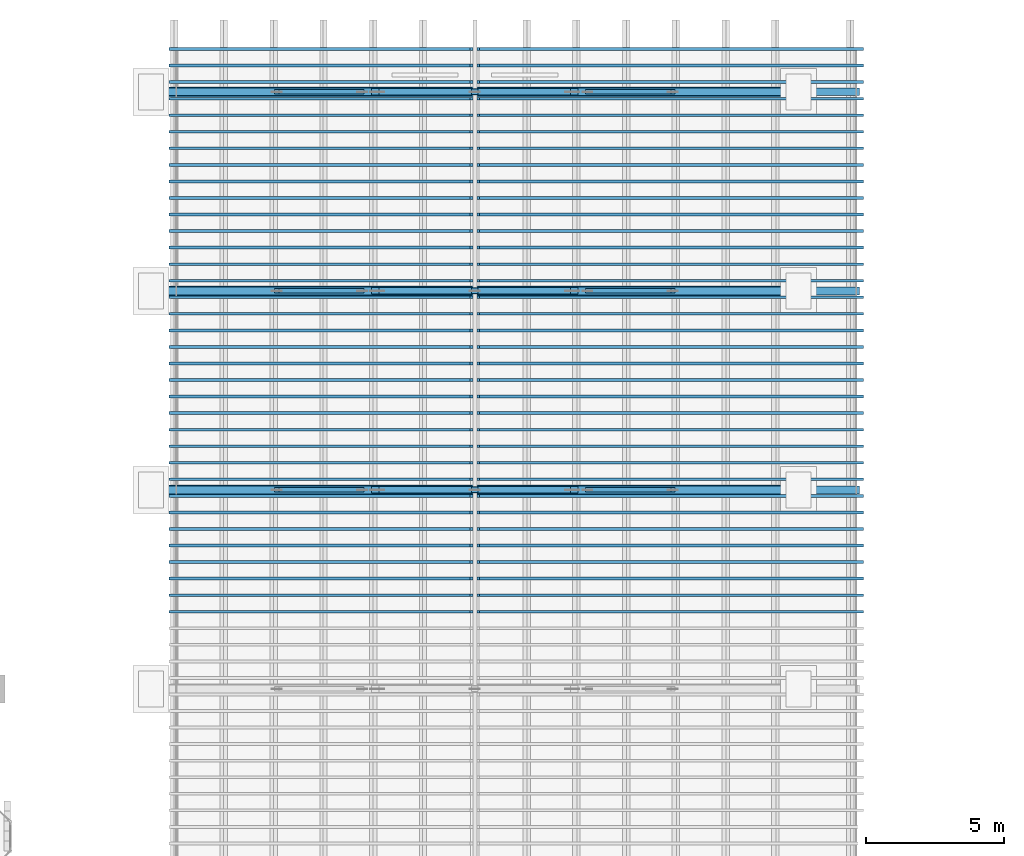
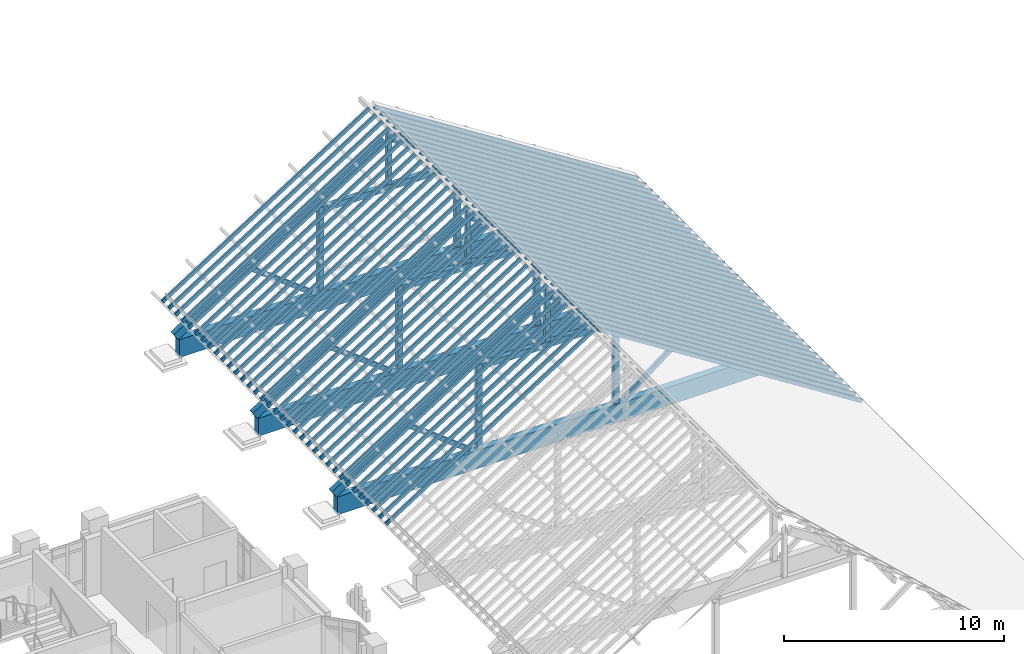
# One storey, part 9 of 71: 94 members, 3 beams.
"""IFC4 building model written with IfcOpenShell, lengths in metres."""

from ifc_helpers import new_model, si_unit, direction, frame, origin, origin_2d, place, context, subcontext, project, spatial, rectangle, extrude, material, material_profile, profile_set, type_object, element, save


model = new_model("IFC4")

# Units and contexts
model_context = context("Model", 3, precision=1e-05, world=origin(), true_north=direction((0.0, 1.0)))
body_context = subcontext(model_context, "Body", "Model", "MODEL_VIEW")
ifc_project = project(units=[si_unit("LENGTHUNIT", "METRE"), si_unit("AREAUNIT", "SQUARE_METRE"), si_unit("VOLUMEUNIT", "CUBIC_METRE"), si_unit("PLANEANGLEUNIT", "RADIAN"), si_unit("MASSUNIT", "GRAM", prefix="KILO")], contexts=[model_context])

# Site, building, storey
site_placement = place(None, origin())
site = spatial("IfcSite", under=ifc_project, at=site_placement, CompositionType="ELEMENT")
building_placement = place(site_placement, origin())
building = spatial("IfcBuilding", under=site, at=building_placement, Name="Mazhai Court Health Centre", CompositionType="ELEMENT")
storey_placement = place(building_placement, frame((0.0, 0.0, 10.199951171875)))
storey = spatial("IfcBuildingStorey", under=building, at=storey_placement, Name="L02", CompositionType="ELEMENT", Elevation=10.199951171875)

# Members
ifc_material_1 = material(Name="Glulam GL24h", Category="wood")
ifc_material_profile_1 = material_profile(ifc_material_1, rectangle(XDim=0.10009765625, YDim=0.199951171875, at=origin_2d()), Name="GL24h 100x200")
ifc_profile_set_1 = profile_set([ifc_material_profile_1], Name="Glulam GL24h")
member_type_1 = type_object("IfcMemberType", Name="GL24h 100x200 rafter", PredefinedType="RAFTER", material=ifc_profile_set_1)
for number, where, z_axis, x_axis, name in (
    (1, (41.99560546875, 37.793701171875, 2.03369140625), (0.84316255296, 0.0, 0.537658729387), (0.0, 1.0, 0.0), "Rafter RV1-RF45"),
    (2, (41.99560546875, 38.392333984375, 2.03369140625), (0.84316255296, 0.0, 0.537658729387), (0.0, 1.0, 0.0), "Rafter RV1-RF46"),
    (3, (41.99560546875, 38.990966796875, 2.03369140625), (0.84316255296, 0.0, 0.537658729387), (0.0, 1.0, 0.0), "Rafter RV1-RF47"),
    (4, (41.99560546875, 39.58984375, 2.03369140625), (0.84316255296, 0.0, 0.537658729387), (0.0, 1.0, 0.0), "Rafter RV1-RF48"),
    (5, (41.99560546875, 40.1884765625, 2.03369140625), (0.84316255296, 0.0, 0.537658729387), (0.0, 1.0, 0.0), "Rafter RV1-RF49"),
    (6, (41.99560546875, 40.787109375, 2.03369140625), (0.84316255296, 0.0, 0.537658729387), (0.0, 1.0, 0.0), "Rafter RV1-RF50"),
    (7, (41.99560546875, 41.385986328125, 2.03369140625), (0.84316255296, 0.0, 0.537658729387), (0.0, 1.0, 0.0), "Rafter RV1-RF51"),
    (8, (41.99560546875, 41.984619140625, 2.03369140625), (0.84316255296, 0.0, 0.537658729387), (0.0, 1.0, 0.0), "Rafter RV1-RF52"),
    (9, (41.99560546875, 42.583251953125, 2.03369140625), (0.84316255296, 0.0, 0.537658729387), (0.0, 1.0, 0.0), "Rafter RV1-RF53"),
    (10, (41.99560546875, 43.18212890625, 2.03369140625), (0.84316255296, 0.0, 0.537658729387), (0.0, 1.0, 0.0), "Rafter RV1-RF54"),
    (11, (41.99560546875, 43.78076171875, 2.03369140625), (0.84316255296, 0.0, 0.537658729387), (0.0, 1.0, 0.0), "Rafter RV1-RF55"),
    (12, (41.99560546875, 44.37939453125, 2.03369140625), (0.84316255296, 0.0, 0.537658729387), (0.0, 1.0, 0.0), "Rafter RV1-RF56"),
    (13, (41.99560546875, 44.978271484375, 2.03369140625), (0.84316255296, 0.0, 0.537658729387), (0.0, 1.0, 0.0), "Rafter RV1-RF57"),
    (14, (41.99560546875, 45.576904296875, 2.03369140625), (0.84316255296, 0.0, 0.537658729387), (0.0, 1.0, 0.0), "Rafter RV1-RF58"),
    (15, (41.99560546875, 46.175537109375, 2.03369140625), (0.84316255296, 0.0, 0.537658729387), (0.0, 1.0, 0.0), "Rafter RV1-RF59"),
    (16, (41.99560546875, 46.7744140625, 2.03369140625), (0.84316255296, 0.0, 0.537658729387), (0.0, 1.0, 0.0), "Rafter RV1-RF60"),
    (17, (41.99560546875, 47.373046875, 2.03369140625), (0.84316255296, 0.0, 0.537658729387), (0.0, 1.0, 0.0), "Rafter RV1-RF61"),
    (18, (41.99560546875, 47.9716796875, 2.03369140625), (0.84316255296, 0.0, 0.537658729387), (0.0, 1.0, 0.0), "Rafter RV1-RF62"),
    (19, (41.99560546875, 48.570556640625, 2.03369140625), (0.84316255296, 0.0, 0.537658729387), (0.0, 1.0, 0.0), "Rafter RV1-RF63"),
    (20, (41.99560546875, 49.169189453125, 2.03369140625), (0.84316255296, 0.0, 0.537658729387), (0.0, 1.0, 0.0), "Rafter RV1-RF64"),
    (21, (41.99560546875, 49.76806640625, 2.03369140625), (0.84316255296, 0.0, 0.537658729387), (0.0, 1.0, 0.0), "Rafter RV1-RF65"),
    (22, (41.99560546875, 50.36669921875, 2.03369140625), (0.84316255296, 0.0, 0.537658729387), (0.0, 1.0, 0.0), "Rafter RV1-RF66"),
    (23, (41.99560546875, 50.96533203125, 2.03369140625), (0.84316255296, 0.0, 0.537658729387), (0.0, 1.0, 0.0), "Rafter RV1-RF67"),
    (24, (41.99560546875, 51.564208984375, 2.03369140625), (0.84316255296, 0.0, 0.537658729387), (0.0, 1.0, 0.0), "Rafter RV1-RF68"),
    (25, (41.99560546875, 52.162841796875, 2.03369140625), (0.84316255296, 0.0, 0.537658729387), (0.0, 1.0, 0.0), "Rafter RV1-RF69"),
    (26, (41.99560546875, 52.761474609375, 2.03369140625), (0.84316255296, 0.0, 0.537658729387), (0.0, 1.0, 0.0), "Rafter RV1-RF70"),
    (27, (41.99560546875, 53.3603515625, 2.03369140625), (0.84316255296, 0.0, 0.537658729387), (0.0, 1.0, 0.0), "Rafter RV1-RF71"),
    (28, (41.99560546875, 53.958984375, 2.03369140625), (0.84316255296, 0.0, 0.537658729387), (0.0, 1.0, 0.0), "Rafter RV1-RF72"),
    (29, (41.99560546875, 54.5576171875, 2.03369140625), (0.84316255296, 0.0, 0.537658729387), (0.0, 1.0, 0.0), "Rafter RV1-RF73"),
    (30, (41.99560546875, 55.156494140625, 2.03369140625), (0.84316255296, 0.0, 0.537658729387), (0.0, 1.0, 0.0), "Rafter RV1-RF74"),
    (31, (41.99560546875, 55.755126953125, 2.03369140625), (0.84316255296, 0.0, 0.537658729387), (0.0, 1.0, 0.0), "Rafter RV1-RF75"),
    (32, (41.99560546875, 56.353759765625, 2.03369140625), (0.84316255296, 0.0, 0.537658729387), (0.0, 1.0, 0.0), "Rafter RV1-RF76"),
    (33, (41.99560546875, 56.95263671875, 2.03369140625), (0.84316255296, 0.0, 0.537658729387), (0.0, 1.0, 0.0), "Rafter RV1-RF77"),
    (34, (41.99560546875, 57.55126953125, 2.03369140625), (0.84316255296, 0.0, 0.537658729387), (0.0, 1.0, 0.0), "Rafter RV1-RF78"),
    (35, (41.99560546875, 58.14990234375, 2.03369140625), (0.84316255296, 0.0, 0.537658729387), (0.0, 1.0, 0.0), "Rafter RV1-RF79"),
):
    element("IfcMember", number, at=place(storey_placement, frame(where, z_axis=z_axis, x_axis=x_axis)), inside=storey, type_object=member_type_1, Name=name, PredefinedType="RAFTER", context=body_context, shape_type="SweptSolid", body=[
        extrude(rectangle(XDim=0.10009765625, YDim=0.199951171875, at=origin_2d()), origin(), (0.0, 0.0, 1.0), 12.904541015625),
    ])
for number, where, z_axis, x_axis, name in (
    (36, (67.00439453125, 58.14990234375, 0.12060546875), (-0.84316038976, 0.0, 0.537662121726), (0.0, -1.0, 0.0), "Rafter RV1-RF80"),
    (37, (67.00439453125, 57.55126953125, 0.12060546875), (-0.84316038976, 0.0, 0.537662121726), (0.0, -1.0, 0.0), "Rafter RV1-RF81"),
    (38, (67.00439453125, 56.95263671875, 0.12060546875), (-0.84316038976, 0.0, 0.537662121726), (0.0, -1.0, 0.0), "Rafter RV1-RF82"),
    (39, (67.00439453125, 56.353759765625, 0.12060546875), (-0.84316038976, 0.0, 0.537662121726), (0.0, -1.0, 0.0), "Rafter RV1-RF83"),
    (40, (67.00439453125, 55.755126953125, 0.12060546875), (-0.84316038976, 0.0, 0.537662121726), (0.0, -1.0, 0.0), "Rafter RV1-RF84"),
    (41, (67.00439453125, 55.156494140625, 0.12060546875), (-0.84316038976, 0.0, 0.537662121726), (0.0, -1.0, 0.0), "Rafter RV1-RF85"),
    (42, (67.00439453125, 54.5576171875, 0.12060546875), (-0.84316038976, 0.0, 0.537662121726), (0.0, -1.0, 0.0), "Rafter RV1-RF86"),
    (43, (67.00439453125, 53.958984375, 0.12060546875), (-0.84316038976, 0.0, 0.537662121726), (0.0, -1.0, 0.0), "Rafter RV1-RF87"),
    (44, (67.00439453125, 53.3603515625, 0.12060546875), (-0.84316038976, 0.0, 0.537662121726), (0.0, -1.0, 0.0), "Rafter RV1-RF88"),
    (45, (67.00439453125, 52.761474609375, 0.12060546875), (-0.84316038976, 0.0, 0.537662121726), (0.0, -1.0, 0.0), "Rafter RV1-RF89"),
    (46, (67.00439453125, 52.162841796875, 0.12060546875), (-0.84316038976, 0.0, 0.537662121726), (0.0, -1.0, 0.0), "Rafter RV1-RF90"),
    (47, (67.00439453125, 51.564208984375, 0.12060546875), (-0.84316038976, 0.0, 0.537662121726), (0.0, -1.0, 0.0), "Rafter RV1-RF91"),
    (48, (67.00439453125, 50.96533203125, 0.12060546875), (-0.84316038976, 0.0, 0.537662121726), (0.0, -1.0, 0.0), "Rafter RV1-RF92"),
    (49, (67.00439453125, 50.36669921875, 0.12060546875), (-0.84316038976, 0.0, 0.537662121726), (0.0, -1.0, 0.0), "Rafter RV1-RF93"),
    (50, (67.00439453125, 49.76806640625, 0.12060546875), (-0.84316038976, 0.0, 0.537662121726), (0.0, -1.0, 0.0), "Rafter RV1-RF94"),
    (51, (67.00439453125, 49.169189453125, 0.12060546875), (-0.84316038976, 0.0, 0.537662121726), (0.0, -1.0, 0.0), "Rafter RV1-RF95"),
    (52, (67.00439453125, 48.570556640625, 0.12060546875), (-0.84316038976, 0.0, 0.537662121726), (0.0, -1.0, 0.0), "Rafter RV1-RF96"),
    (53, (67.00439453125, 47.9716796875, 0.12060546875), (-0.84316038976, 0.0, 0.537662121726), (0.0, -1.0, 0.0), "Rafter RV1-RF97"),
    (54, (67.00439453125, 47.373046875, 0.12060546875), (-0.84316038976, 0.0, 0.537662121726), (0.0, -1.0, 0.0), "Rafter RV1-RF98"),
    (55, (67.00439453125, 46.7744140625, 0.12060546875), (-0.84316038976, 0.0, 0.537662121726), (0.0, -1.0, 0.0), "Rafter RV1-RF99"),
    (56, (67.00439453125, 46.175537109375, 0.12060546875), (-0.84316038976, 0.0, 0.537662121726), (0.0, -1.0, 0.0), "Rafter RV1-RF100"),
    (57, (67.00439453125, 45.576904296875, 0.12060546875), (-0.84316038976, 0.0, 0.537662121726), (0.0, -1.0, 0.0), "Rafter RV1-RF101"),
    (58, (67.00439453125, 44.978271484375, 0.12060546875), (-0.84316038976, 0.0, 0.537662121726), (0.0, -1.0, 0.0), "Rafter RV1-RF102"),
    (59, (67.00439453125, 44.37939453125, 0.12060546875), (-0.84316038976, 0.0, 0.537662121726), (0.0, -1.0, 0.0), "Rafter RV1-RF103"),
    (60, (67.00439453125, 43.78076171875, 0.12060546875), (-0.84316038976, 0.0, 0.537662121726), (0.0, -1.0, 0.0), "Rafter RV1-RF104"),
    (61, (67.00439453125, 43.18212890625, 0.12060546875), (-0.84316038976, 0.0, 0.537662121726), (0.0, -1.0, 0.0), "Rafter RV1-RF105"),
    (62, (67.00439453125, 42.583251953125, 0.12060546875), (-0.84316038976, 0.0, 0.537662121726), (0.0, -1.0, 0.0), "Rafter RV1-RF106"),
    (63, (67.00439453125, 41.984619140625, 0.12060546875), (-0.84316038976, 0.0, 0.537662121726), (0.0, -1.0, 0.0), "Rafter RV1-RF107"),
    (64, (67.00439453125, 41.385986328125, 0.12060546875), (-0.84316038976, 0.0, 0.537662121726), (0.0, -1.0, 0.0), "Rafter RV1-RF108"),
    (65, (67.00439453125, 40.787109375, 0.12060546875), (-0.84316038976, 0.0, 0.537662121726), (0.0, -1.0, 0.0), "Rafter RV1-RF109"),
    (66, (67.00439453125, 40.1884765625, 0.12060546875), (-0.84316038976, 0.0, 0.537662121726), (0.0, -1.0, 0.0), "Rafter RV1-RF110"),
    (67, (67.00439453125, 39.58984375, 0.12060546875), (-0.84316038976, 0.0, 0.537662121726), (0.0, -1.0, 0.0), "Rafter RV1-RF111"),
    (68, (67.00439453125, 38.990966796875, 0.12060546875), (-0.84316038976, 0.0, 0.537662121726), (0.0, -1.0, 0.0), "Rafter RV1-RF112"),
    (69, (67.00439453125, 38.392333984375, 0.12060546875), (-0.84316038976, 0.0, 0.537662121726), (0.0, -1.0, 0.0), "Rafter RV1-RF113"),
    (70, (67.00439453125, 37.793701171875, 0.12060546875), (-0.84316038976, 0.0, 0.537662121726), (0.0, -1.0, 0.0), "Rafter RV1-RF114"),
):
    element("IfcMember", number, at=place(storey_placement, frame(where, z_axis=z_axis, x_axis=x_axis)), inside=storey, type_object=member_type_1, Name=name, PredefinedType="RAFTER", context=body_context, shape_type="SweptSolid", body=[
        extrude(rectangle(XDim=0.10009765625, YDim=0.199951171875, at=origin_2d()), origin(), (0.0, 0.0, 1.0), 16.462646484375),
    ])
ifc_material_2 = material(Name="Glulam GL24h", Category="wood")
ifc_material_profile_2 = material_profile(ifc_material_2, rectangle(XDim=0.159912109375, YDim=0.239990234375, at=origin_2d()), Name="GL24h 160x240")
ifc_profile_set_2 = profile_set([ifc_material_profile_2], Name="Glulam GL24h")
member_type_2 = type_object("IfcMemberType", Name="GL24h 160x240 strut", PredefinedType="BRACE", material=ifc_profile_set_2)
for number, where, z_axis, x_axis, name in (
    (71, (57.07568359375, 42.199951171875, 1.09521484375), (0.794035366324, 0.0, 0.607871562936), (0.0, 1.0, 0.0), "Strut TV1-5-S1"),
    (72, (48.92431640625, 42.199951171875, 1.09521484375), (-0.794035366324, 0.0, 0.607871562936), (0.0, -1.0, 0.0), "Strut TV1-5-S2"),
    (73, (57.07568359375, 49.39990234375, 1.09521484375), (0.794035366324, 0.0, 0.607871562936), (0.0, 1.0, 0.0), "Strut TV1-6-S1"),
    (74, (48.92431640625, 49.39990234375, 1.09521484375), (-0.794035366324, 0.0, 0.607871562936), (0.0, -1.0, 0.0), "Strut TV1-6-S2"),
    (75, (57.07568359375, 56.60009765625, 1.09521484375), (0.794035366324, 0.0, 0.607871562936), (0.0, 1.0, 0.0), "Strut TV1-7-S1"),
    (76, (48.92431640625, 56.60009765625, 1.09521484375), (-0.794035366324, 0.0, 0.607871562936), (0.0, -1.0, 0.0), "Strut TV1-7-S2"),
):
    element("IfcMember", number, at=place(storey_placement, frame(where, z_axis=z_axis, x_axis=x_axis)), inside=storey, type_object=member_type_2, Name=name, PredefinedType="BRACE", context=body_context, shape_type="SweptSolid", body=[
        extrude(rectangle(XDim=0.159912109375, YDim=0.239990234375, at=origin_2d()), origin(), (0.0, 0.0, 1.0), 3.89111328125),
    ])
ifc_material_3 = material(Name="Glulam GL28h", Category="wood")
ifc_material_profile_3 = material_profile(ifc_material_3, rectangle(XDim=0.199951171875, YDim=0.239990234375, at=origin_2d()), Name="GL28h 200x240")
ifc_profile_set_3 = profile_set([ifc_material_profile_3], Name="Glulam GL28h")
member_type_3 = type_object("IfcMemberType", Name="GL28h 200x240 post", PredefinedType="POST", material=ifc_profile_set_3)
for number, where, z_axis, x_axis, name in (
    (77, (53.0, 42.199951171875, 5.693359375), (0.0, 0.0, 1.0), (0.0, 1.0, 0.0), "Post TV1-5-P3"),
    (78, (53.0, 49.39990234375, 5.693359375), (0.0, 0.0, 1.0), (0.0, 1.0, 0.0), "Post TV1-6-P3"),
    (79, (53.0, 56.60009765625, 5.693359375), (0.0, 0.0, 1.0), (0.0, 1.0, 0.0), "Post TV1-7-P3"),
):
    element("IfcMember", number, at=place(storey_placement, frame(where, z_axis=z_axis, x_axis=x_axis)), inside=storey, type_object=member_type_3, Name=name, PredefinedType="POST", context=body_context, shape_type="SweptSolid", body=[
        extrude(rectangle(XDim=0.199951171875, YDim=0.239990234375, at=origin_2d()), origin(), (0.0, 0.0, 1.0), 2.958740234375),
    ])
ifc_material_4 = material(Name="Glulam GL28h", Category="wood")
ifc_material_profile_4 = material_profile(ifc_material_4, rectangle(XDim=0.239990234375, YDim=0.280029296875, at=origin_2d()), Name="GL28h 240x280")
ifc_profile_set_4 = profile_set([ifc_material_profile_4], Name="Glulam GL28h")
member_type_4 = type_object("IfcMemberType", Name="GL28h 240x280 post", PredefinedType="POST", material=ifc_profile_set_4)
for number, where, z_axis, x_axis, name in (
    (80, (56.60009765625, 42.199951171875, 1.0), (0.0, 0.0, 1.0), (0.0, 1.0, 0.0), "Post TV1-5-P1"),
    (81, (49.39990234375, 42.199951171875, 1.0), (0.0, 0.0, 1.0), (0.0, 1.0, 0.0), "Post TV1-5-P2"),
    (82, (56.60009765625, 49.39990234375, 1.0), (0.0, 0.0, 1.0), (0.0, 1.0, 0.0), "Post TV1-6-P1"),
    (83, (49.39990234375, 49.39990234375, 1.0), (0.0, 0.0, 1.0), (0.0, 1.0, 0.0), "Post TV1-6-P2"),
    (84, (56.60009765625, 56.60009765625, 1.0), (0.0, 0.0, 1.0), (0.0, 1.0, 0.0), "Post TV1-7-P1"),
    (85, (49.39990234375, 56.60009765625, 1.0), (0.0, 0.0, 1.0), (0.0, 1.0, 0.0), "Post TV1-7-P2"),
):
    element("IfcMember", number, at=place(storey_placement, frame(where, z_axis=z_axis, x_axis=x_axis)), inside=storey, type_object=member_type_4, Name=name, PredefinedType="POST", context=body_context, shape_type="SweptSolid", body=[
        extrude(rectangle(XDim=0.239990234375, YDim=0.280029296875, at=origin_2d()), origin(), (0.0, 0.0, 1.0), 4.693359375),
    ])
ifc_material_5 = material(Name="Glulam GL28h", Category="wood")
ifc_material_profile_5 = material_profile(ifc_material_5, rectangle(XDim=0.239990234375, YDim=0.320068359375, at=origin_2d()), Name="GL28h 240x320")
ifc_profile_set_5 = profile_set([ifc_material_profile_5], Name="Glulam GL28h")
member_type_5 = type_object("IfcMemberType", Name="GL28h 240x320 collar", PredefinedType="COLLAR", material=ifc_profile_set_5)
for number, where, z_axis, x_axis, name in (
    (86, (56.4599609375, 42.199951171875, 5.533203125), (-1.0, 0.0, 0.0), (0.0, -1.0, 0.0), "Collar TV1-5-SB1"),
    (87, (56.4599609375, 49.39990234375, 5.533203125), (-1.0, 0.0, 0.0), (0.0, -1.0, 0.0), "Collar TV1-6-SB1"),
    (88, (56.4599609375, 56.60009765625, 5.533203125), (-1.0, 0.0, 0.0), (0.0, -1.0, 0.0), "Collar TV1-7-SB1"),
):
    element("IfcMember", number, at=place(storey_placement, frame(where, z_axis=z_axis, x_axis=x_axis)), inside=storey, type_object=member_type_5, Name=name, PredefinedType="COLLAR", context=body_context, shape_type="SweptSolid", body=[
        extrude(rectangle(XDim=0.239990234375, YDim=0.320068359375, at=origin_2d()), origin(), (0.0, 0.0, 1.0), 6.919921875),
    ])
ifc_material_6 = material(Name="Glulam GL32h", Category="wood")
ifc_material_profile_6 = material_profile(ifc_material_6, rectangle(XDim=0.280029296875, YDim=0.43994140625, at=origin_2d()), Name="GL32h 280x440")
ifc_profile_set_6 = profile_set([ifc_material_profile_6], Name="Glulam GL32h")
member_type_6 = type_object("IfcMemberType", Name="GL32h 280x440 rafter", PredefinedType="CHORD", material=ifc_profile_set_6)
member_1_placement = place(storey_placement, frame((66.800048828125, 42.199951171875, -0.460693359375), z_axis=(-0.843161041989, 0.0, 0.537661098902), x_axis=(0.0, -1.0, 0.0)))
element("IfcMember", 89, at=member_1_placement, inside=storey, type_object=member_type_6, Name="Rafter TV1-5-R1", PredefinedType="CHORD", context=body_context, shape_type="SweptSolid", body=[
    extrude(rectangle(XDim=0.280029296875, YDim=0.43994140625, at=origin_2d()), origin(), (0.0, 0.0, 1.0), 16.10205078125),
])
member_2_placement = place(storey_placement, frame((52.776611328125, 42.199951171875, 8.19677734375), z_axis=(-0.84315685002, 0.0, -0.537667672698), x_axis=(0.0, -1.0, 0.0)))
element("IfcMember", 90, at=member_2_placement, inside=storey, type_object=member_type_6, Name="Rafter TV1-5-R8", PredefinedType="CHORD", context=body_context, shape_type="SweptSolid", body=[
    extrude(rectangle(XDim=0.280029296875, YDim=0.43994140625, at=origin_2d()), origin(), (0.0, 0.0, 1.0), 13.077880859375),
])
member_3_placement = place(storey_placement, frame((66.800048828125, 49.39990234375, -0.460693359375), z_axis=(-0.843161041989, 0.0, 0.537661098902), x_axis=(0.0, -1.0, 0.0)))
element("IfcMember", 91, at=member_3_placement, inside=storey, type_object=member_type_6, Name="Rafter TV1-6-R1", PredefinedType="CHORD", context=body_context, shape_type="SweptSolid", body=[
    extrude(rectangle(XDim=0.280029296875, YDim=0.43994140625, at=origin_2d()), origin(), (0.0, 0.0, 1.0), 16.10205078125),
])
member_4_placement = place(storey_placement, frame((52.776611328125, 49.39990234375, 8.19677734375), z_axis=(-0.84315685002, 0.0, -0.537667672698), x_axis=(0.0, -1.0, 0.0)))
element("IfcMember", 92, at=member_4_placement, inside=storey, type_object=member_type_6, Name="Rafter TV1-6-R8", PredefinedType="CHORD", context=body_context, shape_type="SweptSolid", body=[
    extrude(rectangle(XDim=0.280029296875, YDim=0.43994140625, at=origin_2d()), origin(), (0.0, 0.0, 1.0), 13.077880859375),
])
member_5_placement = place(storey_placement, frame((66.800048828125, 56.60009765625, -0.460693359375), z_axis=(-0.843161041989, 0.0, 0.537661098902), x_axis=(0.0, -1.0, 0.0)))
element("IfcMember", 93, at=member_5_placement, inside=storey, type_object=member_type_6, Name="Rafter TV1-7-R1", PredefinedType="CHORD", context=body_context, shape_type="SweptSolid", body=[
    extrude(rectangle(XDim=0.280029296875, YDim=0.43994140625, at=origin_2d()), origin(), (0.0, 0.0, 1.0), 16.10205078125),
])
member_6_placement = place(storey_placement, frame((52.776611328125, 56.60009765625, 8.19677734375), z_axis=(-0.84315685002, 0.0, -0.537667672698), x_axis=(0.0, -1.0, 0.0)))
element("IfcMember", 94, at=member_6_placement, inside=storey, type_object=member_type_6, Name="Rafter TV1-7-R8", PredefinedType="CHORD", context=body_context, shape_type="SweptSolid", body=[
    extrude(rectangle(XDim=0.280029296875, YDim=0.43994140625, at=origin_2d()), origin(), (0.0, 0.0, 1.0), 13.077880859375),
])

# Beams
ifc_material_7 = material(Name="Glulam GL32h", Category="wood")
ifc_material_profile_7 = material_profile(ifc_material_7, rectangle(XDim=0.360107421875, YDim=1.0, at=origin_2d()), Name="GL32h 360x1000")
ifc_profile_set_7 = profile_set([ifc_material_profile_7], Name="Glulam GL32h")
beam_type = type_object("IfcBeamType", Name="GL32h 360x1000 tie", PredefinedType="BEAM", material=ifc_profile_set_7)
for number, where, z_axis, x_axis, name in (
    (95, (64.10009765625, 42.199951171875, 0.5), (-1.0, 0.0, 0.0), (0.0, -1.0, 0.0), "Tie TV1-5-TB1"),
    (96, (64.10009765625, 49.39990234375, 0.5), (-1.0, 0.0, 0.0), (0.0, -1.0, 0.0), "Tie TV1-6-TB1"),
    (97, (64.10009765625, 56.60009765625, 0.5), (-1.0, 0.0, 0.0), (0.0, -1.0, 0.0), "Tie TV1-7-TB1"),
):
    element("IfcBeam", number, at=place(storey_placement, frame(where, z_axis=z_axis, x_axis=x_axis)), inside=storey, type_object=beam_type, Name=name, PredefinedType="BEAM", context=body_context, shape_type="SweptSolid", body=[
        extrude(rectangle(XDim=0.360107421875, YDim=1.0, at=origin_2d()), origin(), (0.0, 0.0, 1.0), 22.2001953125),
    ])

save(model, "model.ifc")
